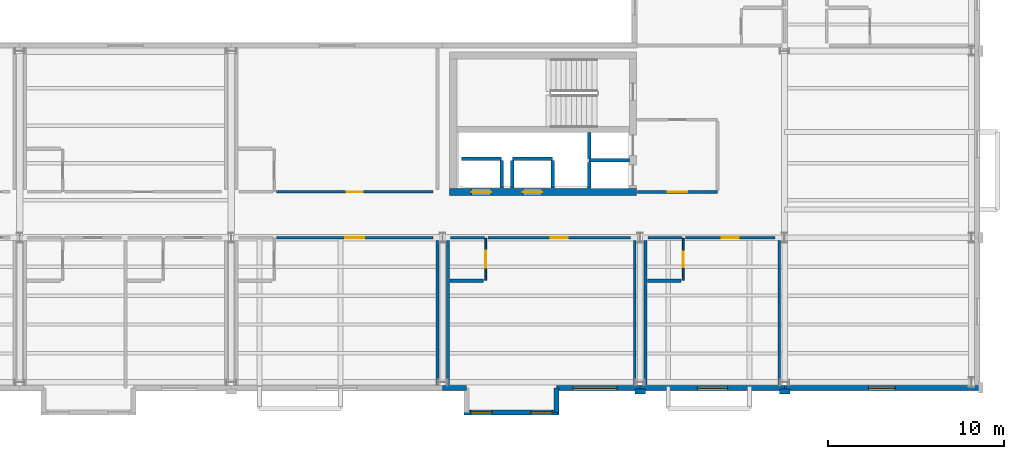
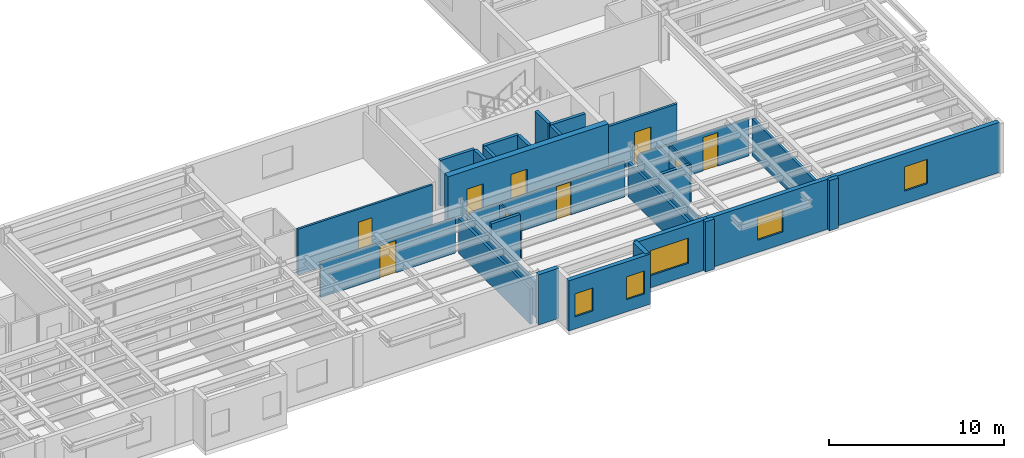
# One storey, part 12 of 17: 33 walls, 9 doors, 5 windows, 14 openings.
"""IFC4 building model written with IfcOpenShell, lengths in metres."""

from ifc_helpers import new_model, si_unit, direction, frame, frame_2d, origin, place, context, subcontext, project, spatial, rectangle, extrude, material, layer, layer_set, type_object, element, fill, save


model = new_model("IFC4")

# Units and contexts
model_context = context("Model", 3, precision=1e-05, world=origin(), true_north=direction((0.0, 1.0)))
body_context = subcontext(model_context, "Body", "Model", "MODEL_VIEW")
ifc_project = project(units=[si_unit("LENGTHUNIT", "METRE"), si_unit("AREAUNIT", "SQUARE_METRE"), si_unit("VOLUMEUNIT", "CUBIC_METRE"), si_unit("PLANEANGLEUNIT", "RADIAN"), si_unit("MASSUNIT", "GRAM", prefix="KILO")], contexts=[model_context])

# Site, building, storey
site_placement = place(None, origin())
site = spatial("IfcSite", under=ifc_project, at=site_placement, CompositionType="ELEMENT")
building_placement = place(site_placement, origin())
building = spatial("IfcBuilding", under=site, at=building_placement, Name="Sollismere Congress Hotel", CompositionType="ELEMENT")
storey_placement = place(building_placement, frame((0.0, 0.0, 37.60009765625)))
storey = spatial("IfcBuildingStorey", under=building, at=storey_placement, Name="L09", CompositionType="ELEMENT", Elevation=37.60009765625)

# Wall
ifc_material_1 = material(Name="Colorado Buff Sandstone Rainscreen on Insulated Backup", Category="masonry")
ifc_layer_1 = layer(ifc_material_1, 0.284912109375, Name="Colorado Buff Sandstone Rainscreen on Insulated Backup")
ifc_layer_set_1 = layer_set([ifc_layer_1], Name="Colorado Buff Sandstone Rainscreen on Insulated Backup")
wall_type_1 = type_object("IfcWallType", Name="WL-EXT285", PredefinedType="STANDARD", material=ifc_layer_set_1)
wall_1_placement = place(storey_placement, frame((136.0, -0.31005859375, 0.0), z_axis=(0.0, 0.0, 1.0), x_axis=(1.0, 0.0, 0.0)))
element("IfcWall", 1, at=wall_1_placement, inside=storey, type_object=wall_type_1, Name="Exterior wall EW-L09-899", PredefinedType="STANDARD", context=body_context, shape_type="SweptSolid", body=[
    extrude(rectangle(XDim=1.340087890625, YDim=0.284912109375, at=frame_2d((0.669921875, 0.0))), origin(), (0.0, 0.0, 1.0), 3.5),
])

# Wall, opening, window
wall_2_placement = place(storey_placement, frame((142.4599609375, -0.31005859375, 0.0), z_axis=(0.0, 0.0, 1.0), x_axis=(1.0, 0.0, 0.0)))
wall_2 = element("IfcWall", 2, at=wall_2_placement, inside=storey, type_object=wall_type_1, Name="Exterior wall EW-L09-900", PredefinedType="STANDARD", context=body_context, shape_type="SweptSolid", body=[
    extrude(rectangle(XDim=4.739990234375, YDim=0.284912109375, at=frame_2d((2.3701171875, 0.0))), origin(), (0.0, 0.0, 1.0), 3.5),
])
opening_1_placement = place(wall_2_placement, frame((0.945068359375, 0.0, 0.85009765625)))
opening_1 = element("IfcOpeningElement", 3, at=opening_1_placement, cuts=wall_2, Name="Opening W-L09-647", PredefinedType="OPENING", context=body_context, shape_type="SweptSolid", body=[
    extrude(rectangle(XDim=2.5, YDim=1.75, at=frame_2d((1.25, 0.875))), frame((0.0, 0.15234375, 0.0), z_axis=(0.0, -1.0, 0.0), x_axis=(1.0, 0.0, 0.0)), (0.0, 0.0, 1.0), 0.304931640625),
])
ifc_material_2 = material(Name="Thermally Broken Bronze Aluminum & Low-E Glass", Category="aluminium")
window_type_1 = type_object("IfcWindowType", Name="WN-P250x175", PartitioningType="SINGLE_PANEL", PredefinedType="WINDOW", material=ifc_material_2)
window_1_placement = place(opening_1_placement, origin())
window_1 = element("IfcWindow", 4, at=window_1_placement, inside=storey, type_object=window_type_1, Name="WIN-W-L09-647", OverallHeight=1.75, OverallWidth=2.5, PartitioningType="SINGLE_PANEL", PredefinedType="WINDOW", context=body_context, shape_type="SweptSolid", body=[
    extrude(rectangle(XDim=2.5, YDim=1.75, at=frame_2d((1.25, 0.875))), frame((0.0, 0.030029296875, 0.0), z_axis=(0.0, -1.0, 0.0), x_axis=(1.0, 0.0, 0.0)), (0.0, 0.0, 1.0), 0.06005859375),
])
fill(opening_1, window_1)

# Wall, openings, windows
wall_3_placement = place(storey_placement, frame((137.199951171875, -1.699951171875, 0.0), z_axis=(0.0, 0.0, 1.0), x_axis=(1.0, 0.0, 0.0)))
wall_3 = element("IfcWall", 5, at=wall_3_placement, inside=storey, type_object=wall_type_1, Name="Exterior wall EW-L09-901", PredefinedType="STANDARD", context=body_context, shape_type="SweptSolid", body=[
    extrude(rectangle(XDim=5.400146484375, YDim=0.284912109375, at=frame_2d((2.7001953125, 0.0))), origin(), (0.0, 0.0, 1.0), 3.5),
])
opening_2_placement = place(wall_3_placement, frame((0.39990234375, 0.0, 0.85009765625)))
opening_2 = element("IfcOpeningElement", 6, at=opening_2_placement, cuts=wall_3, Name="Opening W-L09-648", PredefinedType="OPENING", context=body_context, shape_type="SweptSolid", body=[
    extrude(rectangle(XDim=1.199951171875, YDim=1.60009765625, at=frame_2d((0.60009765625, 0.800048828125))), frame((0.0, 0.15234375, 0.0), z_axis=(0.0, -1.0, 0.0), x_axis=(1.0, 0.0, 0.0)), (0.0, 0.0, 1.0), 0.304931640625),
])
opening_3_placement = place(wall_3_placement, frame((3.800048828125, 0.0, 0.85009765625)))
opening_3 = element("IfcOpeningElement", 7, at=opening_3_placement, cuts=wall_3, Name="Opening W-L09-649", PredefinedType="OPENING", context=body_context, shape_type="SweptSolid", body=[
    extrude(rectangle(XDim=1.199951171875, YDim=1.60009765625, at=frame_2d((0.60009765625, 0.800048828125))), frame((0.0, 0.15234375, 0.0), z_axis=(0.0, -1.0, 0.0), x_axis=(1.0, 0.0, 0.0)), (0.0, 0.0, 1.0), 0.304931640625),
])
window_type_2 = type_object("IfcWindowType", Name="WN-P120x160", PartitioningType="SINGLE_PANEL", PredefinedType="WINDOW", material=ifc_material_2)
window_2_placement = place(opening_2_placement, origin())
window_2 = element("IfcWindow", 8, at=window_2_placement, inside=storey, type_object=window_type_2, Name="WIN-W-L09-648", OverallHeight=1.60009765625, OverallWidth=1.199951171875, PartitioningType="SINGLE_PANEL", PredefinedType="WINDOW", context=body_context, shape_type="SweptSolid", body=[
    extrude(rectangle(XDim=1.199951171875, YDim=1.60009765625, at=frame_2d((0.60009765625, 0.800048828125))), frame((0.0, 0.030029296875, 0.0), z_axis=(0.0, -1.0, 0.0), x_axis=(1.0, 0.0, 0.0)), (0.0, 0.0, 1.0), 0.06005859375),
])
fill(opening_2, window_2)
window_3_placement = place(opening_3_placement, origin())
window_3 = element("IfcWindow", 9, at=window_3_placement, inside=storey, type_object=window_type_2, Name="WIN-W-L09-649", OverallHeight=1.60009765625, OverallWidth=1.199951171875, PartitioningType="SINGLE_PANEL", PredefinedType="WINDOW", context=body_context, shape_type="SweptSolid", body=[
    extrude(rectangle(XDim=1.199951171875, YDim=1.60009765625, at=frame_2d((0.60009765625, 0.800048828125))), frame((0.0, 0.030029296875, 0.0), z_axis=(0.0, -1.0, 0.0), x_axis=(1.0, 0.0, 0.0)), (0.0, 0.0, 1.0), 0.06005859375),
])
fill(opening_3, window_3)

# Wall
wall_4_placement = place(storey_placement, frame((142.4599609375, -1.699951171875, 0.0), z_axis=(0.0, 0.0, 1.0), x_axis=(0.0, 1.0, 0.0)))
element("IfcWall", 10, at=wall_4_placement, inside=storey, type_object=wall_type_1, Name="Exterior wall EW-L09-903", PredefinedType="STANDARD", context=body_context, shape_type="SweptSolid", body=[
    extrude(rectangle(XDim=1.389892578125, YDim=0.284912109375, at=frame_2d((0.69482421875, 0.0))), origin(), (0.0, 0.0, 1.0), 3.5),
])

# Wall, opening, window
wall_5_placement = place(storey_placement, frame((147.199951171875, -0.31005859375, 0.0), z_axis=(0.0, 0.0, 1.0), x_axis=(1.0, 0.0, 0.0)))
wall_5 = element("IfcWall", 11, at=wall_5_placement, inside=storey, type_object=wall_type_1, Name="Exterior wall EW-L09-904", PredefinedType="STANDARD", context=body_context, shape_type="SweptSolid", body=[
    extrude(rectangle(XDim=8.199951171875, YDim=0.284912109375, at=frame_2d((4.10009765625, 0.0))), origin(), (0.0, 0.0, 1.0), 3.5),
])
opening_4_placement = place(wall_5_placement, frame((3.25, 0.0, 0.85009765625)))
opening_4 = element("IfcOpeningElement", 12, at=opening_4_placement, cuts=wall_5, Name="Opening W-L09-650", PredefinedType="OPENING", context=body_context, shape_type="SweptSolid", body=[
    extrude(rectangle(XDim=1.699951171875, YDim=1.60009765625, at=frame_2d((0.85009765625, 0.800048828125))), frame((0.0, 0.15234375, 0.0), z_axis=(0.0, -1.0, 0.0), x_axis=(1.0, 0.0, 0.0)), (0.0, 0.0, 1.0), 0.304931640625),
])
window_type_3 = type_object("IfcWindowType", Name="WN-P170x160", PartitioningType="SINGLE_PANEL", PredefinedType="WINDOW", material=ifc_material_2)
window_4_placement = place(opening_4_placement, origin())
window_4 = element("IfcWindow", 13, at=window_4_placement, inside=storey, type_object=window_type_3, Name="WIN-W-L09-650", OverallHeight=1.60009765625, OverallWidth=1.699951171875, PartitioningType="SINGLE_PANEL", PredefinedType="WINDOW", context=body_context, shape_type="SweptSolid", body=[
    extrude(rectangle(XDim=1.699951171875, YDim=1.60009765625, at=frame_2d((0.85009765625, 0.800048828125))), frame((0.0, 0.030029296875, 0.0), z_axis=(0.0, -1.0, 0.0), x_axis=(1.0, 0.0, 0.0)), (0.0, 0.0, 1.0), 0.06005859375),
])
fill(opening_4, window_4)

wall_6_placement = place(storey_placement, frame((155.39990234375, -0.31005859375, 0.0), z_axis=(0.0, 0.0, 1.0), x_axis=(1.0, 0.0, 0.0)))
wall_6 = element("IfcWall", 14, at=wall_6_placement, inside=storey, type_object=wall_type_1, Name="Exterior wall EW-L09-906", PredefinedType="STANDARD", context=body_context, shape_type="SweptSolid", body=[
    extrude(rectangle(XDim=11.050048828125, YDim=0.284912109375, at=frame_2d((5.52490234375, 0.0))), origin(), (0.0, 0.0, 1.0), 3.5),
])
opening_5_placement = place(wall_6_placement, frame((4.77490234375, 0.0, 0.8798828125)))
opening_5 = element("IfcOpeningElement", 15, at=opening_5_placement, cuts=wall_6, Name="Opening W-L09-651", PredefinedType="OPENING", context=body_context, shape_type="SweptSolid", body=[
    extrude(rectangle(XDim=1.5, YDim=1.699951171875, at=frame_2d((0.75, 0.85009765625))), frame((0.0, 0.15234375, 0.0), z_axis=(0.0, -1.0, 0.0), x_axis=(1.0, 0.0, 0.0)), (0.0, 0.0, 1.0), 0.304931640625),
])
window_type_4 = type_object("IfcWindowType", Name="WN-P150x170", PartitioningType="SINGLE_PANEL", PredefinedType="WINDOW", material=ifc_material_2)
window_5_placement = place(opening_5_placement, origin())
window_5 = element("IfcWindow", 16, at=window_5_placement, inside=storey, type_object=window_type_4, Name="WIN-W-L09-651", OverallHeight=1.699951171875, OverallWidth=1.5, PartitioningType="SINGLE_PANEL", PredefinedType="WINDOW", context=body_context, shape_type="SweptSolid", body=[
    extrude(rectangle(XDim=1.5, YDim=1.699951171875, at=frame_2d((0.75, 0.85009765625))), frame((0.0, 0.030029296875, 0.0), z_axis=(0.0, -1.0, 0.0), x_axis=(1.0, 0.0, 0.0)), (0.0, 0.0, 1.0), 0.06005859375),
])
fill(opening_5, window_5)

# Walls
ifc_material_3 = material(Name="Carved Travertine Pilaster & Frieze Assembly", Category="masonry")
ifc_layer_2 = layer(ifc_material_3, 0.260009765625, Name="Carved Travertine Pilaster & Frieze Assembly")
ifc_layer_set_2 = layer_set([ifc_layer_2], Name="Carved Travertine Pilaster & Frieze Assembly")
wall_type_2 = type_object("IfcWallType", Name="WL-PIL280", PredefinedType="ELEMENTEDWALL", material=ifc_layer_set_2)
wall_7_placement = place(storey_placement, frame((146.89990234375, -0.52001953125, 0.0), z_axis=(0.0, 0.0, 1.0), x_axis=(1.0, 0.0, 0.0)))
element("IfcWall", 17, at=wall_7_placement, inside=storey, type_object=wall_type_2, Name="Exterior wall EW-L09-905", PredefinedType="ELEMENTEDWALL", context=body_context, shape_type="SweptSolid", body=[
    extrude(rectangle(XDim=0.60009765625, YDim=0.260009765625, at=frame_2d((0.300048828125, 0.0))), origin(), (0.0, 0.0, 1.0), 3.5),
])
wall_8_placement = place(storey_placement, frame((155.10009765625, -0.52001953125, 0.0), z_axis=(0.0, 0.0, 1.0), x_axis=(1.0, 0.0, 0.0)))
element("IfcWall", 18, at=wall_8_placement, inside=storey, type_object=wall_type_2, Name="Exterior wall EW-L09-907", PredefinedType="ELEMENTEDWALL", context=body_context, shape_type="SweptSolid", body=[
    extrude(rectangle(XDim=0.599853515625, YDim=0.260009765625, at=frame_2d((0.2998046875, 0.0))), origin(), (0.0, 0.0, 1.0), 3.5),
])
ifc_material_4 = material(Name="Moisture-Resistant Shaft Gypsum Assembly")
ifc_layer_3 = layer(ifc_material_4, 0.199951171875, Name="Moisture-Resistant Shaft Gypsum Assembly")
ifc_layer_set_3 = layer_set([ifc_layer_3], Name="Moisture-Resistant Shaft Gypsum Assembly")
wall_type_3 = type_object("IfcWallType", Name="WL-PLM200", PredefinedType="PLUMBINGWALL", material=ifc_layer_set_3)
wall_9_placement = place(storey_placement, frame((137.054931640625, 12.68994140625, 0.0), z_axis=(0.0, 0.0, 1.0), x_axis=(1.0, 0.0, 0.0)))
element("IfcWall", 19, at=wall_9_placement, inside=storey, type_object=wall_type_3, Name="Interior wall IW-L09-0166", PredefinedType="PLUMBINGWALL", context=body_context, shape_type="SweptSolid", body=[
    extrude(rectangle(XDim=2.2900390625, YDim=0.199951171875, at=frame_2d((1.14501953125, 0.0))), origin(), (0.0, 0.0, 1.0), 3.199951171875),
])
wall_10_placement = place(storey_placement, frame((139.344970703125, 11.011962890625, 0.0), z_axis=(0.0, 0.0, 1.0), x_axis=(0.0, 1.0, 0.0)))
element("IfcWall", 20, at=wall_10_placement, inside=storey, type_object=wall_type_3, Name="Interior wall IW-L09-0167", PredefinedType="PLUMBINGWALL", context=body_context, shape_type="SweptSolid", body=[
    extrude(rectangle(XDim=1.56591796875, YDim=0.199951171875, at=frame_2d((0.782958984375, 0.0))), origin(), (0.0, 0.0, 1.0), 3.199951171875),
])
wall_11_placement = place(storey_placement, frame((139.955078125, 12.68994140625, 0.0), z_axis=(0.0, 0.0, 1.0), x_axis=(1.0, 0.0, 0.0)))
element("IfcWall", 21, at=wall_11_placement, inside=storey, type_object=wall_type_3, Name="Interior wall IW-L09-0168", PredefinedType="PLUMBINGWALL", context=body_context, shape_type="SweptSolid", body=[
    extrude(rectangle(XDim=2.2900390625, YDim=0.199951171875, at=frame_2d((1.14501953125, 0.0))), origin(), (0.0, 0.0, 1.0), 3.199951171875),
])
for number, where, z_axis, x_axis, name in (
    (22, (139.955078125, 11.011962890625, 0.0), (0.0, 0.0, 1.0), (0.0, 1.0, 0.0), "Interior wall IW-L09-0169"),
    (23, (142.2451171875, 11.011962890625, 0.0), (0.0, 0.0, 1.0), (0.0, 1.0, 0.0), "Interior wall IW-L09-0170"),
):
    element("IfcWall", number, at=place(storey_placement, frame(where, z_axis=z_axis, x_axis=x_axis)), inside=storey, type_object=wall_type_3, Name=name, PredefinedType="PLUMBINGWALL", context=body_context, shape_type="SweptSolid", body=[
        extrude(rectangle(XDim=1.56591796875, YDim=0.199951171875, at=frame_2d((0.782958984375, 0.0))), origin(), (0.0, 0.0, 1.0), 3.199951171875),
    ])
wall_12_placement = place(storey_placement, frame((144.31005859375, 12.594970703125, 0.0), z_axis=(0.0, 0.0, 1.0), x_axis=(1.0, 0.0, 0.0)))
element("IfcWall", 24, at=wall_12_placement, inside=storey, type_object=wall_type_3, Name="Interior wall IW-L09-0171", PredefinedType="PLUMBINGWALL", context=body_context, shape_type="SweptSolid", body=[
    extrude(rectangle(XDim=2.27783203125, YDim=0.199951171875, at=frame_2d((1.138916015625, 0.0))), origin(), (0.0, 0.0, 1.0), 3.199951171875),
])
wall_13_placement = place(storey_placement, frame((144.31005859375, 11.011962890625, 0.0), z_axis=(0.0, 0.0, 1.0), x_axis=(0.0, 1.0, 0.0)))
element("IfcWall", 25, at=wall_13_placement, inside=storey, type_object=wall_type_3, Name="Interior wall IW-L09-0172", PredefinedType="PLUMBINGWALL", context=body_context, shape_type="SweptSolid", body=[
    extrude(rectangle(XDim=1.470947265625, YDim=0.199951171875, at=frame_2d((0.7353515625, 0.0))), origin(), (0.0, 0.0, 1.0), 3.199951171875),
])
wall_14_placement = place(storey_placement, frame((144.31005859375, 12.70703125, 0.0), z_axis=(0.0, 0.0, 1.0), x_axis=(0.0, 1.0, 0.0)))
element("IfcWall", 26, at=wall_14_placement, inside=storey, type_object=wall_type_3, Name="Interior wall IW-L09-0173", PredefinedType="PLUMBINGWALL", context=body_context, shape_type="SweptSolid", body=[
    extrude(rectangle(XDim=1.4560546875, YDim=0.199951171875, at=frame_2d((0.72802734375, 0.0))), origin(), (0.0, 0.0, 1.0), 3.199951171875),
])
wall_15_placement = place(storey_placement, frame((136.419921875, 5.75, 0.0), z_axis=(0.0, 0.0, 1.0), x_axis=(1.0, 0.0, 0.0)))
element("IfcWall", 27, at=wall_15_placement, inside=storey, type_object=wall_type_3, Name="Interior wall IW-L09-2687", PredefinedType="PLUMBINGWALL", context=body_context, shape_type="SweptSolid", body=[
    extrude(rectangle(XDim=1.91015625, YDim=0.199951171875, at=frame_2d((0.955078125, 0.0))), origin(), (0.0, 0.0, 1.0), 3.199951171875),
])
wall_16_placement = place(storey_placement, frame((147.6201171875, 5.75, 0.0), z_axis=(0.0, 0.0, 1.0), x_axis=(1.0, 0.0, 0.0)))
element("IfcWall", 28, at=wall_16_placement, inside=storey, type_object=wall_type_3, Name="Interior wall IW-L09-2693", PredefinedType="PLUMBINGWALL", context=body_context, shape_type="SweptSolid", body=[
    extrude(rectangle(XDim=1.909912109375, YDim=0.199951171875, at=frame_2d((0.955078125, 0.0))), origin(), (0.0, 0.0, 1.0), 2.7529296875),
])

# Wall, opening, door
ifc_material_5 = material(Name="Moisture-Resistant Gypsum Partition")
ifc_layer_4 = layer(ifc_material_5, 0.10009765625, Name="Moisture-Resistant Gypsum Partition")
ifc_layer_set_4 = layer_set([ifc_layer_4], Name="Moisture-Resistant Gypsum Partition")
wall_type_4 = type_object("IfcWallType", Name="WL-PRT100", PredefinedType="PARTITIONING", material=ifc_layer_set_4)
wall_17_placement = place(storey_placement, frame((138.449951171875, 5.7900390625, 0.0), z_axis=(0.0, 0.0, 1.0), x_axis=(0.0, 1.0, 0.0)))
wall_17 = element("IfcWall", 29, at=wall_17_placement, inside=storey, type_object=wall_type_4, Name="Interior wall IW-L09-2686", PredefinedType="PARTITIONING", context=body_context, shape_type="SweptSolid", body=[
    extrude(rectangle(XDim=2.369873046875, YDim=0.10009765625, at=frame_2d((1.18505859375, 0.0))), origin(), (0.0, 0.0, 1.0), 2.43798828125),
])
opening_6_placement = place(wall_17_placement, frame((0.7080078125, 0.0, 0.0)))
opening_6 = element("IfcOpeningElement", 30, at=opening_6_placement, cuts=wall_17, Name="Opening D-L09-0949", PredefinedType="OPENING", context=body_context, shape_type="SweptSolid", body=[
    extrude(rectangle(XDim=0.955078125, YDim=2.219970703125, at=frame_2d((0.4775390625, 1.10986328125))), frame((0.0, 0.06005859375, 0.0), z_axis=(0.0, -1.0, 0.0), x_axis=(1.0, 0.0, 0.0)), (0.0, 0.0, 1.0), 0.1201171875),
])
ifc_material_6 = material(Name="Moisture-Sealed Timber Bathroom Door", Category="wood")
door_type_1 = type_object("IfcDoorType", Name="DR-BT08", OperationType="NOTDEFINED", PredefinedType="DOOR", material=ifc_material_6)
door_1_placement = place(opening_6_placement, origin())
door_1 = element("IfcDoor", 31, at=door_1_placement, inside=storey, type_object=door_type_1, Name="En-suite bathroom door D-L09-0949", OperationType="SINGLE_SWING_RIGHT", OverallHeight=2.219970703125, OverallWidth=0.955078125, PredefinedType="DOOR", context=body_context, shape_type="SweptSolid", body=[
    extrude(rectangle(XDim=0.955078125, YDim=2.219970703125, at=frame_2d((0.4775390625, 1.10986328125))), frame((0.0, 0.02490234375, 0.0), z_axis=(0.0, -1.0, 0.0), x_axis=(1.0, 0.0, 0.0)), (0.0, 0.0, 1.0), 0.050048828125),
])
fill(opening_6, door_1)

wall_18_placement = place(storey_placement, frame((149.64990234375, 5.7900390625, 0.0), z_axis=(0.0, 0.0, 1.0), x_axis=(0.0, 1.0, 0.0)))
wall_18 = element("IfcWall", 32, at=wall_18_placement, inside=storey, type_object=wall_type_4, Name="Interior wall IW-L09-2692", PredefinedType="PARTITIONING", context=body_context, shape_type="SweptSolid", body=[
    extrude(rectangle(XDim=2.369873046875, YDim=0.10009765625, at=frame_2d((1.18505859375, 0.0))), origin(), (0.0, 0.0, 1.0), 2.61279296875),
])
opening_7_placement = place(wall_18_placement, frame((0.7451171875, 0.0, 0.0)))
opening_7 = element("IfcOpeningElement", 33, at=opening_7_placement, cuts=wall_18, Name="Opening D-L09-0951", PredefinedType="OPENING", context=body_context, shape_type="SweptSolid", body=[
    extrude(rectangle(XDim=0.8798828125, YDim=2.10009765625, at=frame_2d((0.43994140625, 1.050048828125))), frame((0.0, 0.06005859375, 0.0), z_axis=(0.0, -1.0, 0.0), x_axis=(1.0, 0.0, 0.0)), (0.0, 0.0, 1.0), 0.1201171875),
])
door_type_2 = type_object("IfcDoorType", Name="DR-BT01", OperationType="NOTDEFINED", PredefinedType="DOOR", material=ifc_material_6)
door_2_placement = place(opening_7_placement, origin())
door_2 = element("IfcDoor", 34, at=door_2_placement, inside=storey, type_object=door_type_2, Name="En-suite bathroom door D-L09-0951", OperationType="SINGLE_SWING_RIGHT", OverallHeight=2.10009765625, OverallWidth=0.8798828125, PredefinedType="DOOR", context=body_context, shape_type="SweptSolid", body=[
    extrude(rectangle(XDim=0.8798828125, YDim=2.10009765625, at=frame_2d((0.43994140625, 1.050048828125))), frame((0.0, 0.02490234375, 0.0), z_axis=(0.0, -1.0, 0.0), x_axis=(1.0, 0.0, 0.0)), (0.0, 0.0, 1.0), 0.050048828125),
])
fill(opening_7, door_2)

ifc_material_7 = material(Name="Fire-Rated Gypsum Partition")
ifc_layer_5 = layer(ifc_material_7, 0.139892578125, Name="Fire-Rated Gypsum Partition")
ifc_layer_set_5 = layer_set([ifc_layer_5], Name="Fire-Rated Gypsum Partition")
wall_type_5 = type_object("IfcWallType", Name="WL-PRT140R", PredefinedType="PARTITIONING", material=ifc_layer_set_5)
wall_19_placement = place(storey_placement, frame((126.570068359375, 8.199951171875, 0.0), z_axis=(0.0, 0.0, 1.0), x_axis=(1.0, 0.0, 0.0)))
wall_19 = element("IfcWall", 35, at=wall_19_placement, inside=storey, type_object=wall_type_5, Name="Interior wall IW-L09-2671", PredefinedType="PARTITIONING", context=body_context, shape_type="SweptSolid", body=[
    extrude(rectangle(XDim=8.889892578125, YDim=0.139892578125, at=frame_2d((4.44482421875, 0.0))), origin(), (0.0, 0.0, 1.0), 2.43798828125),
])
opening_8_placement = place(wall_19_placement, frame((3.909912109375, 0.0, 0.0)))
opening_8 = element("IfcOpeningElement", 36, at=opening_8_placement, cuts=wall_19, Name="Opening D-L09-0944", PredefinedType="OPENING", context=body_context, shape_type="SweptSolid", body=[
    extrude(rectangle(XDim=1.070068359375, YDim=2.25, at=frame_2d((0.53515625, 1.125))), frame((0.0, 0.079833984375, 0.0), z_axis=(0.0, -1.0, 0.0), x_axis=(1.0, 0.0, 0.0)), (0.0, 0.0, 1.0), 0.159912109375),
])
ifc_material_8 = material(Name="Solid-Core Acoustic Walnut Guestroom Entry Door")
door_type_3 = type_object("IfcDoorType", Name="DR-KY06", OperationType="NOTDEFINED", PredefinedType="DOOR", material=ifc_material_8)
door_3_placement = place(opening_8_placement, origin())
door_3 = element("IfcDoor", 37, at=door_3_placement, inside=storey, type_object=door_type_3, Name="Hotel room entry door D-L09-0944", OperationType="SINGLE_SWING_LEFT", OverallHeight=2.25, OverallWidth=1.070068359375, PredefinedType="DOOR", context=body_context, shape_type="SweptSolid", body=[
    extrude(rectangle(XDim=1.070068359375, YDim=2.25, at=frame_2d((0.53515625, 1.125))), frame((0.0, 0.02490234375, 0.0), z_axis=(0.0, -1.0, 0.0), x_axis=(1.0, 0.0, 0.0)), (0.0, 0.0, 1.0), 0.050048828125),
])
fill(opening_8, door_3)

wall_20_placement = place(storey_placement, frame((126.570068359375, 10.800048828125, 0.0), z_axis=(0.0, 0.0, 1.0), x_axis=(1.0, 0.0, 0.0)))
wall_20 = element("IfcWall", 38, at=wall_20_placement, inside=storey, type_object=wall_type_5, Name="Interior wall IW-L09-2677", PredefinedType="PARTITIONING", context=body_context, shape_type="SweptSolid", body=[
    extrude(rectangle(XDim=8.889892578125, YDim=0.139892578125, at=frame_2d((4.44482421875, 0.0))), origin(), (0.0, 0.0, 1.0), 3.199951171875),
])
opening_9_placement = place(wall_20_placement, frame((3.985107421875, 0.0, 0.0)))
opening_9 = element("IfcOpeningElement", 39, at=opening_9_placement, cuts=wall_20, Name="Opening D-L09-0946", PredefinedType="OPENING", context=body_context, shape_type="SweptSolid", body=[
    extrude(rectangle(XDim=0.919921875, YDim=2.300048828125, at=frame_2d((0.4599609375, 1.14990234375))), frame((0.0, 0.079833984375, 0.0), z_axis=(0.0, -1.0, 0.0), x_axis=(1.0, 0.0, 0.0)), (0.0, 0.0, 1.0), 0.159912109375),
])
door_type_4 = type_object("IfcDoorType", Name="DR-KY07", OperationType="NOTDEFINED", PredefinedType="DOOR", material=ifc_material_8)
door_4_placement = place(opening_9_placement, origin())
door_4 = element("IfcDoor", 40, at=door_4_placement, inside=storey, type_object=door_type_4, Name="Hotel room entry door D-L09-0946", OperationType="SINGLE_SWING_LEFT", OverallHeight=2.300048828125, OverallWidth=0.919921875, PredefinedType="DOOR", context=body_context, shape_type="SweptSolid", body=[
    extrude(rectangle(XDim=0.919921875, YDim=2.300048828125, at=frame_2d((0.4599609375, 1.14990234375))), frame((0.0, 0.02490234375, 0.0), z_axis=(0.0, -1.0, 0.0), x_axis=(1.0, 0.0, 0.0)), (0.0, 0.0, 1.0), 0.050048828125),
])
fill(opening_9, door_4)

# Wall
wall_21_placement = place(storey_placement, frame((136.43994140625, 8.199951171875, 0.0), z_axis=(0.0, 0.0, 1.0), x_axis=(1.0, 0.0, 0.0)))
element("IfcWall", 41, at=wall_21_placement, inside=storey, type_object=wall_type_5, Name="Interior wall IW-L09-2682", PredefinedType="PARTITIONING", context=body_context, shape_type="SweptSolid", body=[
    extrude(rectangle(XDim=1.93017578125, YDim=0.139892578125, at=frame_2d((0.965087890625, 0.0))), origin(), (0.0, 0.0, 1.0), 2.43798828125),
])

# Wall, opening, door
wall_22_placement = place(storey_placement, frame((138.570068359375, 8.199951171875, 0.0), z_axis=(0.0, 0.0, 1.0), x_axis=(1.0, 0.0, 0.0)))
wall_22 = element("IfcWall", 42, at=wall_22_placement, inside=storey, type_object=wall_type_5, Name="Interior wall IW-L09-2683", PredefinedType="PARTITIONING", context=body_context, shape_type="SweptSolid", body=[
    extrude(rectangle(XDim=8.08984375, YDim=0.139892578125, at=frame_2d((4.044921875, 0.0))), origin(), (0.0, 0.0, 1.0), 2.43798828125),
])
opening_10_placement = place(wall_22_placement, frame((3.570068359375, 0.0, 0.0)))
opening_10 = element("IfcOpeningElement", 43, at=opening_10_placement, cuts=wall_22, Name="Opening D-L09-0948", PredefinedType="OPENING", context=body_context, shape_type="SweptSolid", body=[
    extrude(rectangle(XDim=0.949951171875, YDim=2.300048828125, at=frame_2d((0.47509765625, 1.14990234375))), frame((0.0, 0.079833984375, 0.0), z_axis=(0.0, -1.0, 0.0), x_axis=(1.0, 0.0, 0.0)), (0.0, 0.0, 1.0), 0.159912109375),
])
door_type_5 = type_object("IfcDoorType", Name="DR-KY08", OperationType="NOTDEFINED", PredefinedType="DOOR", material=ifc_material_8)
door_5_placement = place(opening_10_placement, origin())
door_5 = element("IfcDoor", 44, at=door_5_placement, inside=storey, type_object=door_type_5, Name="Hotel room entry door D-L09-0948", OperationType="SINGLE_SWING_LEFT", OverallHeight=2.300048828125, OverallWidth=0.949951171875, PredefinedType="DOOR", context=body_context, shape_type="SweptSolid", body=[
    extrude(rectangle(XDim=0.949951171875, YDim=2.300048828125, at=frame_2d((0.47509765625, 1.14990234375))), frame((0.0, 0.02490234375, 0.0), z_axis=(0.0, -1.0, 0.0), x_axis=(1.0, 0.0, 0.0)), (0.0, 0.0, 1.0), 0.050048828125),
])
fill(opening_10, door_5)

# Wall
wall_23_placement = place(storey_placement, frame((147.639892578125, 8.199951171875, 0.0), z_axis=(0.0, 0.0, 1.0), x_axis=(1.0, 0.0, 0.0)))
element("IfcWall", 45, at=wall_23_placement, inside=storey, type_object=wall_type_5, Name="Interior wall IW-L09-2688", PredefinedType="PARTITIONING", context=body_context, shape_type="SweptSolid", body=[
    extrude(rectangle(XDim=1.93017578125, YDim=0.139892578125, at=frame_2d((0.965087890625, 0.0))), origin(), (0.0, 0.0, 1.0), 2.61279296875),
])

# Wall, opening, door
wall_24_placement = place(storey_placement, frame((149.77001953125, 8.199951171875, 0.0), z_axis=(0.0, 0.0, 1.0), x_axis=(1.0, 0.0, 0.0)))
wall_24 = element("IfcWall", 46, at=wall_24_placement, inside=storey, type_object=wall_type_5, Name="Interior wall IW-L09-2689", PredefinedType="PARTITIONING", context=body_context, shape_type="SweptSolid", body=[
    extrude(rectangle(XDim=5.090087890625, YDim=0.139892578125, at=frame_2d((2.544921875, 0.0))), origin(), (0.0, 0.0, 1.0), 2.61279296875),
])
opening_11_placement = place(wall_24_placement, frame((2.054931640625, 0.0, 0.0)))
opening_11 = element("IfcOpeningElement", 47, at=opening_11_placement, cuts=wall_24, Name="Opening D-L09-0950", PredefinedType="OPENING", context=body_context, shape_type="SweptSolid", body=[
    extrude(rectangle(XDim=0.97998046875, YDim=2.35009765625, at=frame_2d((0.489990234375, 1.175048828125))), frame((0.0, 0.079833984375, 0.0), z_axis=(0.0, -1.0, 0.0), x_axis=(1.0, 0.0, 0.0)), (0.0, 0.0, 1.0), 0.159912109375),
])
door_type_6 = type_object("IfcDoorType", Name="DR-KY09", OperationType="NOTDEFINED", PredefinedType="DOOR", material=ifc_material_8)
door_6_placement = place(opening_11_placement, origin())
door_6 = element("IfcDoor", 48, at=door_6_placement, inside=storey, type_object=door_type_6, Name="Hotel room entry door D-L09-0950", OperationType="SINGLE_SWING_LEFT", OverallHeight=2.35009765625, OverallWidth=0.97998046875, PredefinedType="DOOR", context=body_context, shape_type="SweptSolid", body=[
    extrude(rectangle(XDim=0.97998046875, YDim=2.35009765625, at=frame_2d((0.489990234375, 1.175048828125))), frame((0.0, 0.02490234375, 0.0), z_axis=(0.0, -1.0, 0.0), x_axis=(1.0, 0.0, 0.0)), (0.0, 0.0, 1.0), 0.050048828125),
])
fill(opening_11, door_6)

ifc_material_9 = material(Name="Fire-Rated Acoustic Gypsum Partition")
ifc_layer_6 = layer(ifc_material_9, 0.1650390625, Name="Fire-Rated Acoustic Gypsum Partition")
ifc_layer_set_6 = layer_set([ifc_layer_6], Name="Fire-Rated Acoustic Gypsum Partition")
wall_type_6 = type_object("IfcWallType", Name="WL-PRT165R", PredefinedType="PARTITIONING", material=ifc_layer_set_6)
wall_25_placement = place(storey_placement, frame((147.050048828125, 10.800048828125, 0.0), z_axis=(0.0, 0.0, 1.0), x_axis=(1.0, 0.0, 0.0)))
wall_25 = element("IfcWall", 49, at=wall_25_placement, inside=storey, type_object=wall_type_6, Name="Interior wall IW-L09-0174", PredefinedType="PARTITIONING", context=body_context, shape_type="SweptSolid", body=[
    extrude(rectangle(XDim=4.550048828125, YDim=0.1650390625, at=frame_2d((2.27490234375, 0.0))), origin(), (0.0, 0.0, 1.0), 3.199951171875),
])
opening_12_placement = place(wall_25_placement, frame((1.72509765625, 0.0, 0.0)))
opening_12 = element("IfcOpeningElement", 50, at=opening_12_placement, cuts=wall_25, Name="Opening D-FFL-L09", PredefinedType="OPENING", context=body_context, shape_type="SweptSolid", body=[
    extrude(rectangle(XDim=1.10009765625, YDim=2.199951171875, at=frame_2d((0.550048828125, 1.10009765625))), frame((0.0, 0.092529296875, 0.0), z_axis=(0.0, -1.0, 0.0), x_axis=(1.0, 0.0, 0.0)), (0.0, 0.0, 1.0), 0.18505859375),
])
ifc_material_10 = material(Name="Smoke-Barrier Rated Timber-Clad Steel Door", Category="steel")
door_type_7 = type_object("IfcDoorType", Name="DR-FFL110", OperationType="NOTDEFINED", PredefinedType="DOOR", material=ifc_material_10)
door_7_placement = place(opening_12_placement, origin())
door_7 = element("IfcDoor", 51, at=door_7_placement, inside=storey, type_object=door_type_7, Name="Firefighting lobby smoke door D-FFL-L09", OperationType="SINGLE_SWING_RIGHT", OverallHeight=2.199951171875, OverallWidth=1.10009765625, PredefinedType="DOOR", context=body_context, shape_type="SweptSolid", body=[
    extrude(rectangle(XDim=1.10009765625, YDim=2.199951171875, at=frame_2d((0.550048828125, 1.10009765625))), frame((0.0, 0.02490234375, 0.0), z_axis=(0.0, -1.0, 0.0), x_axis=(1.0, 0.0, 0.0)), (0.0, 0.0, 1.0), 0.050048828125),
])
fill(opening_12, door_7)

# Walls
for number, where, z_axis, x_axis, name in (
    (52, (135.699951171875, -0.152587890625, 0.0), (0.0, 0.0, 1.0), (0.0, 1.0, 0.0), "Interior wall IW-L09-2673"),
    (53, (136.300048828125, -0.152587890625, 0.0), (0.0, 0.0, 1.0), (0.0, 1.0, 0.0), "Interior wall IW-L09-2684"),
    (54, (146.89990234375, -0.152587890625, 0.0), (0.0, 0.0, 1.0), (0.0, 1.0, 0.0), "Interior wall IW-L09-2685"),
):
    element("IfcWall", number, at=place(storey_placement, frame(where, z_axis=z_axis, x_axis=x_axis)), inside=storey, type_object=wall_type_6, Name=name, PredefinedType="PARTITIONING", context=body_context, shape_type="SweptSolid", body=[
        extrude(rectangle(XDim=8.212646484375, YDim=0.1650390625, at=frame_2d((4.1064453125, 0.0))), origin(), (0.0, 0.0, 1.0), 2.43798828125),
    ])
for number, where, z_axis, x_axis, name in (
    (55, (147.5, -0.152587890625, 0.0), (0.0, 0.0, 1.0), (0.0, 1.0, 0.0), "Interior wall IW-L09-2690"),
    (56, (155.10009765625, -0.152587890625, 0.0), (0.0, 0.0, 1.0), (0.0, 1.0, 0.0), "Interior wall IW-L09-2691"),
):
    element("IfcWall", number, at=place(storey_placement, frame(where, z_axis=z_axis, x_axis=x_axis)), inside=storey, type_object=wall_type_6, Name=name, PredefinedType="PARTITIONING", context=body_context, shape_type="SweptSolid", body=[
        extrude(rectangle(XDim=8.212646484375, YDim=0.1650390625, at=frame_2d((4.1064453125, 0.0))), origin(), (0.0, 0.0, 1.0), 2.58984375),
    ])

# Wall, openings, doors
ifc_material_11 = material(Name="Concrete C50/60", Category="concrete")
ifc_layer_7 = layer(ifc_material_11, 0.39990234375, Name="Concrete C50/60")
ifc_layer_set_7 = layer_set([ifc_layer_7], Name="Concrete C50/60")
wall_type_7 = type_object("IfcWallType", Name="WL-SHR400", PredefinedType="SHEAR", material=ifc_layer_set_7)
wall_26_placement = place(storey_placement, frame((136.39990234375, 10.800048828125, 0.0), z_axis=(0.0, 0.0, 1.0), x_axis=(1.0, 0.0, 0.0)))
wall_26 = element("IfcWall", 57, at=wall_26_placement, inside=storey, type_object=wall_type_7, Name="Interior wall IW-L09-0161", PredefinedType="SHEAR", context=body_context, shape_type="SweptSolid", body=[
    extrude(rectangle(XDim=10.60009765625, YDim=0.39990234375, at=frame_2d((5.300048828125, 0.0))), origin(), (0.0, 0.0, 1.0), 3.5),
])
opening_13_placement = place(wall_26_placement, frame((1.25, 0.0, 0.0)))
opening_13 = element("IfcOpeningElement", 58, at=opening_13_placement, cuts=wall_26, Name="Opening LD-LP-01-L09", PredefinedType="OPENING", context=body_context, shape_type="SweptSolid", body=[
    extrude(rectangle(XDim=1.10009765625, YDim=2.199951171875, at=frame_2d((0.550048828125, 1.10009765625))), frame((0.0, 0.2099609375, 0.0), z_axis=(0.0, -1.0, 0.0), x_axis=(1.0, 0.0, 0.0)), (0.0, 0.0, 1.0), 0.419921875),
])
opening_14_placement = place(wall_26_placement, frame((4.14990234375, 0.0, 0.0)))
opening_14 = element("IfcOpeningElement", 59, at=opening_14_placement, cuts=wall_26, Name="Opening LD-LP-02-L09", PredefinedType="OPENING", context=body_context, shape_type="SweptSolid", body=[
    extrude(rectangle(XDim=1.10009765625, YDim=2.199951171875, at=frame_2d((0.550048828125, 1.10009765625))), frame((0.0, 0.2099609375, 0.0), z_axis=(0.0, -1.0, 0.0), x_axis=(1.0, 0.0, 0.0)), (0.0, 0.0, 1.0), 0.419921875),
])
ifc_material_12 = material(Name="Brushed Bronze Sliding Elevator Landing Door")
door_type_8 = type_object("IfcDoorType", Name="DR-LD110", OperationType="NOTDEFINED", PredefinedType="DOOR", material=ifc_material_12)
door_8_placement = place(opening_13_placement, origin())
door_8 = element("IfcDoor", 60, at=door_8_placement, inside=storey, type_object=door_type_8, Name="Elevator landing door LD-LP-01-L09", OperationType="SLIDING_TO_LEFT", OverallHeight=2.199951171875, OverallWidth=1.10009765625, PredefinedType="DOOR", context=body_context, shape_type="SweptSolid", body=[
    extrude(rectangle(XDim=1.10009765625, YDim=2.199951171875, at=frame_2d((0.550048828125, 1.10009765625))), frame((0.0, 0.02490234375, 0.0), z_axis=(0.0, -1.0, 0.0), x_axis=(1.0, 0.0, 0.0)), (0.0, 0.0, 1.0), 0.050048828125),
])
fill(opening_13, door_8)
door_9_placement = place(opening_14_placement, origin())
door_9 = element("IfcDoor", 61, at=door_9_placement, inside=storey, type_object=door_type_8, Name="Elevator landing door LD-LP-02-L09", OperationType="SLIDING_TO_RIGHT", OverallHeight=2.199951171875, OverallWidth=1.10009765625, PredefinedType="DOOR", context=body_context, shape_type="SweptSolid", body=[
    extrude(rectangle(XDim=1.10009765625, YDim=2.199951171875, at=frame_2d((0.550048828125, 1.10009765625))), frame((0.0, 0.02490234375, 0.0), z_axis=(0.0, -1.0, 0.0), x_axis=(1.0, 0.0, 0.0)), (0.0, 0.0, 1.0), 0.050048828125),
])
fill(opening_14, door_9)

save(model, "model.ifc")
